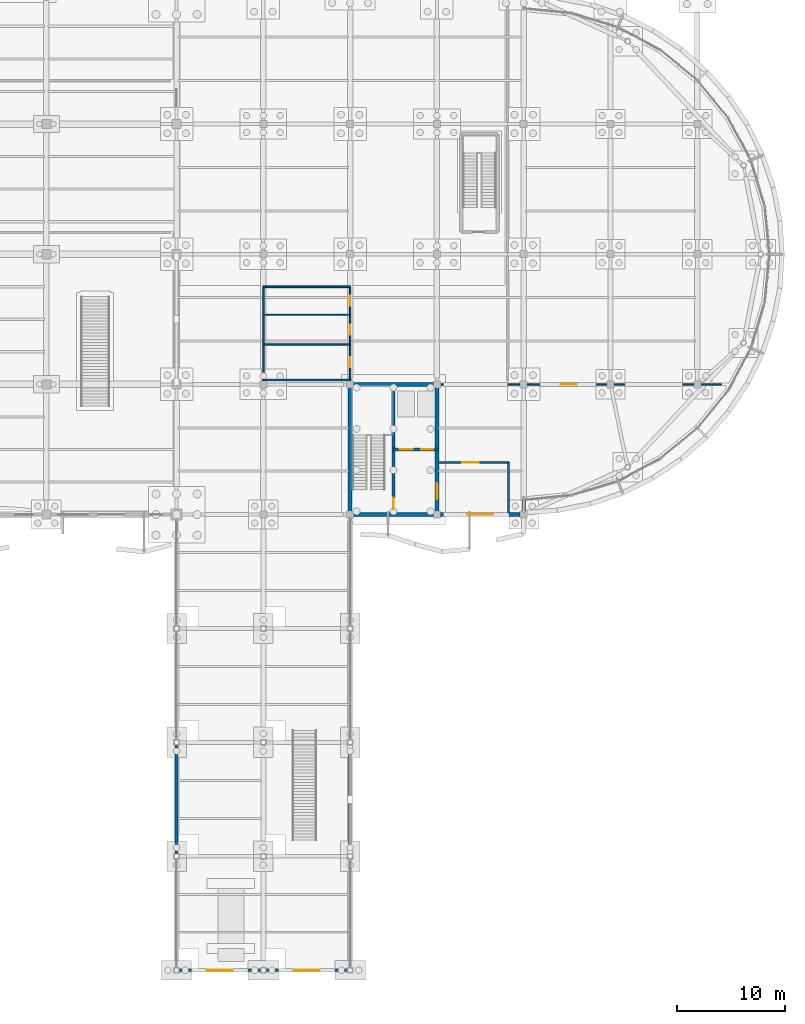
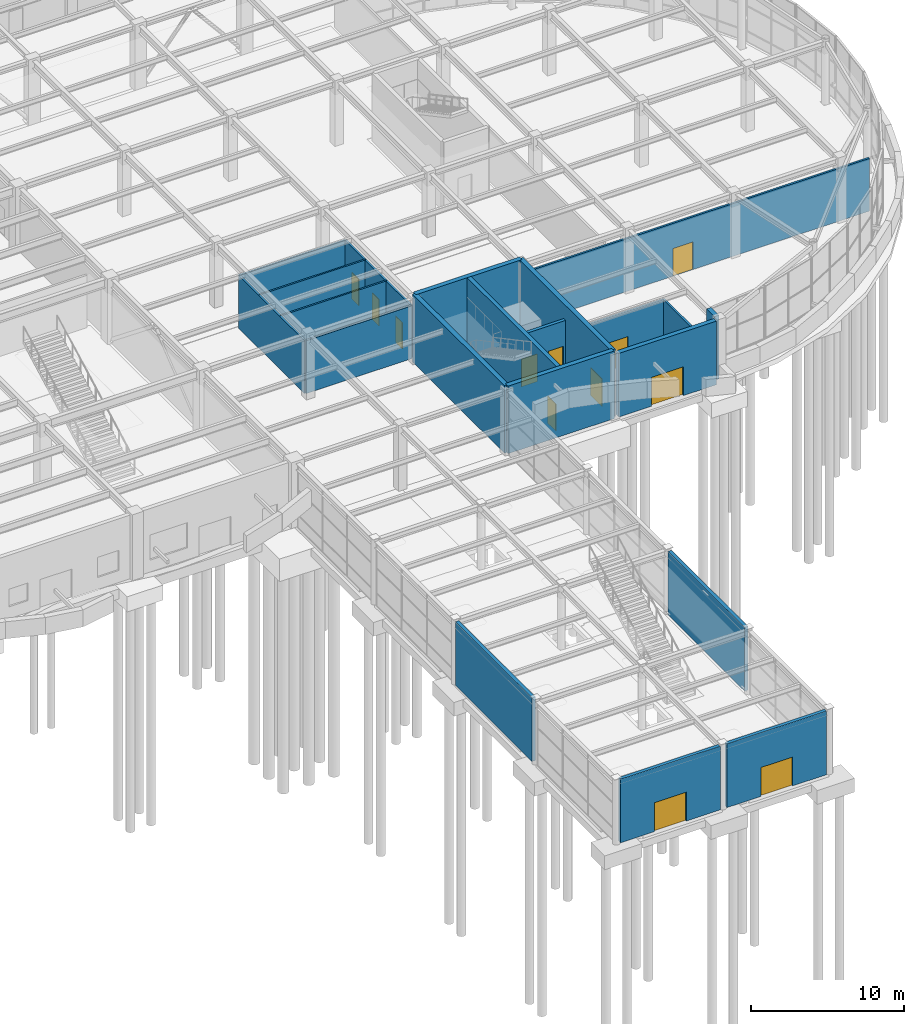
# One storey, part 68 of 85: 21 walls, 12 doors, 12 openings.
"""IFC4 building model written with IfcOpenShell, lengths in metres."""

from ifc_helpers import new_model, si_unit, direction, frame, frame_2d, origin, place, context, subcontext, project, spatial, rectangle, extrude, material, layer, layer_set, type_object, element, fill, save


model = new_model("IFC4")

# Units and contexts
model_context = context("Model", 3, precision=1e-05, world=origin(), true_north=direction((0.0, 1.0)))
body_context = subcontext(model_context, "Body", "Model", "MODEL_VIEW")
ifc_project = project(units=[si_unit("LENGTHUNIT", "METRE"), si_unit("AREAUNIT", "SQUARE_METRE"), si_unit("VOLUMEUNIT", "CUBIC_METRE"), si_unit("PLANEANGLEUNIT", "RADIAN"), si_unit("MASSUNIT", "GRAM", prefix="KILO")], contexts=[model_context])

# Site, building, storey
site_placement = place(None, origin())
site = spatial("IfcSite", under=ifc_project, at=site_placement, CompositionType="ELEMENT")
building_placement = place(site_placement, origin())
building = spatial("IfcBuilding", under=site, at=building_placement, Name="Keelwater Ferry Terminal", CompositionType="ELEMENT")
storey_placement = place(building_placement, origin())
storey = spatial("IfcBuildingStorey", under=building, at=storey_placement, Name="L00", CompositionType="ELEMENT", Elevation=0.0)

# Walls
ifc_material_1 = material(Name="Precast concrete C40/50", Category="concrete")
ifc_layer_1 = layer(ifc_material_1, 0.260009765625)
ifc_layer_set_1 = layer_set([ifc_layer_1], Name="Precast concrete C40/50")
wall_type_1 = type_object("IfcWallType", Name="EW-BR260 External Solid Wall 260", PredefinedType="SOLIDWALL", material=ifc_layer_set_1)
for number, where, z_axis, x_axis, name in (
    (1, (132.0, 10.75390625, 0.0), (0.0, 0.0, 1.0), (0.0, 1.0, 0.0), "External Wall WL-L00-0005"),
    (2, (148.0, 10.75390625, 0.0), (0.0, 0.0, 1.0), (0.0, 1.0, 0.0), "External Wall WL-L00-0007"),
):
    element("IfcWall", number, at=place(storey_placement, frame(where, z_axis=z_axis, x_axis=x_axis)), inside=storey, type_object=wall_type_1, Name=name, PredefinedType="SOLIDWALL", context=body_context, shape_type="SweptSolid", body=[
        extrude(rectangle(XDim=9.9921875, YDim=0.260009765625, at=frame_2d((4.99609375, 0.0))), origin(), (0.0, 0.0, 1.0), 5.06005859375),
    ])

# Wall, opening, door
wall_1_placement = place(storey_placement, frame((139.74609375, 0.0, 0.0), z_axis=(0.0, 0.0, 1.0), x_axis=(-1.0, 0.0, 0.0)))
wall_1 = element("IfcWall", 3, at=wall_1_placement, inside=storey, type_object=wall_type_1, Name="External Wall WL-L00-0013", PredefinedType="SOLIDWALL", context=body_context, shape_type="SweptSolid", body=[
    extrude(rectangle(XDim=7.4921875, YDim=0.260009765625, at=frame_2d((3.74609375, 0.0))), origin(), (0.0, 0.0, 1.0), 5.06005859375),
])
opening_1_placement = place(wall_1_placement, frame((2.5458984375, 0.0, 0.0)))
opening_1 = element("IfcOpeningElement", 4, at=opening_1_placement, cuts=wall_1, Name="Opening ED-03", PredefinedType="OPENING", context=body_context, shape_type="SweptSolid", body=[
    extrude(rectangle(XDim=2.39990234375, YDim=2.300048828125, at=frame_2d((1.199951171875, 1.14990234375))), frame((0.0, 0.139892578125, 0.0), z_axis=(0.0, -1.0, 0.0), x_axis=(1.0, 0.0, 0.0)), (0.0, 0.0, 1.0), 0.280029296875),
])
ifc_material_2 = material(Name="Anodised aluminium and laminated safety glass", Category="aluminium")
door_type_1 = type_object("IfcDoorType", Name="ED-T1 Pedestrian Door 2400x2300", OperationType="DOUBLE_DOOR_SINGLE_SWING", PredefinedType="DOOR", material=ifc_material_2)
door_1_placement = place(opening_1_placement, origin())
door_1 = element("IfcDoor", 5, at=door_1_placement, inside=storey, type_object=door_type_1, Name="Door ED-03", OperationType="DOUBLE_DOOR_SINGLE_SWING", OverallHeight=2.300048828125, OverallWidth=2.39990234375, PredefinedType="DOOR", context=body_context, shape_type="SweptSolid", body=[
    extrude(rectangle(XDim=2.39990234375, YDim=2.300048828125, at=frame_2d((1.199951171875, 1.14990234375))), frame((0.0, 0.02490234375, 0.0), z_axis=(0.0, -1.0, 0.0), x_axis=(1.0, 0.0, 0.0)), (0.0, 0.0, 1.0), 0.050048828125),
])
fill(opening_1, door_1)

wall_2_placement = place(storey_placement, frame((147.74609375, 0.0, 0.0), z_axis=(0.0, 0.0, 1.0), x_axis=(-1.0, 0.0, 0.0)))
wall_2 = element("IfcWall", 6, at=wall_2_placement, inside=storey, type_object=wall_type_1, Name="External Wall WL-L00-0015", PredefinedType="SOLIDWALL", context=body_context, shape_type="SweptSolid", body=[
    extrude(rectangle(XDim=7.4921875, YDim=0.260009765625, at=frame_2d((3.74609375, 0.0))), origin(), (0.0, 0.0, 1.0), 5.06005859375),
])
opening_2_placement = place(wall_2_placement, frame((2.5458984375, 0.0, 0.0)))
opening_2 = element("IfcOpeningElement", 7, at=opening_2_placement, cuts=wall_2, Name="Opening ED-04", PredefinedType="OPENING", context=body_context, shape_type="SweptSolid", body=[
    extrude(rectangle(XDim=2.39990234375, YDim=2.300048828125, at=frame_2d((1.199951171875, 1.14990234375))), frame((0.0, 0.139892578125, 0.0), z_axis=(0.0, -1.0, 0.0), x_axis=(1.0, 0.0, 0.0)), (0.0, 0.0, 1.0), 0.280029296875),
])
door_2_placement = place(opening_2_placement, origin())
door_2 = element("IfcDoor", 8, at=door_2_placement, inside=storey, type_object=door_type_1, Name="Door ED-04", OperationType="DOUBLE_DOOR_SINGLE_SWING", OverallHeight=2.300048828125, OverallWidth=2.39990234375, PredefinedType="DOOR", context=body_context, shape_type="SweptSolid", body=[
    extrude(rectangle(XDim=2.39990234375, YDim=2.300048828125, at=frame_2d((1.199951171875, 1.14990234375))), frame((0.0, 0.02490234375, 0.0), z_axis=(0.0, -1.0, 0.0), x_axis=(1.0, 0.0, 0.0)), (0.0, 0.0, 1.0), 0.050048828125),
])
fill(opening_2, door_2)

# Wall
ifc_material_3 = material(Name="Precast concrete C40/50", Category="concrete")
ifc_layer_2 = layer(ifc_material_3, 0.340087890625)
ifc_layer_set_2 = layer_set([ifc_layer_2], Name="Precast concrete C40/50")
wall_type_2 = type_object("IfcWallType", Name="EW-LM340 External Solid Wall 340", PredefinedType="SOLIDWALL", material=ifc_layer_set_2)
wall_3_placement = place(storey_placement, frame((164.0, 42.324951171875, 0.0), z_axis=(0.0, 0.0, 1.0), x_axis=(0.0, 1.0, 0.0)))
element("IfcWall", 9, at=wall_3_placement, inside=storey, type_object=wall_type_2, Name="External Wall WL-L00-0019", PredefinedType="SOLIDWALL", context=body_context, shape_type="SweptSolid", body=[
    extrude(rectangle(XDim=1.025146484375, YDim=0.340087890625, at=frame_2d((0.5126953125, 0.0))), origin(), (0.0, 0.0, 1.0), 5.06005859375),
])

# Wall, opening, door
wall_4_placement = place(storey_placement, frame((163.675048828125, 42.0, 0.0), z_axis=(0.0, 0.0, 1.0), x_axis=(-1.0, 0.0, 0.0)))
wall_4 = element("IfcWall", 10, at=wall_4_placement, inside=storey, type_object=wall_type_2, Name="External Wall WL-L00-0047", PredefinedType="SOLIDWALL", context=body_context, shape_type="SweptSolid", body=[
    extrude(rectangle(XDim=7.35009765625, YDim=0.340087890625, at=frame_2d((3.675048828125, 0.0))), origin(), (0.0, 0.0, 1.0), 5.06005859375),
])
opening_3_placement = place(wall_4_placement, frame((2.47509765625, 0.0, 0.0)))
opening_3 = element("IfcOpeningElement", 11, at=opening_3_placement, cuts=wall_4, Name="Opening ED-14", PredefinedType="OPENING", context=body_context, shape_type="SweptSolid", body=[
    extrude(rectangle(XDim=2.39990234375, YDim=2.300048828125, at=frame_2d((1.199951171875, 1.14990234375))), frame((0.0, 0.179931640625, 0.0), z_axis=(0.0, -1.0, 0.0), x_axis=(1.0, 0.0, 0.0)), (0.0, 0.0, 1.0), 0.360107421875),
])
door_3_placement = place(opening_3_placement, origin())
door_3 = element("IfcDoor", 12, at=door_3_placement, inside=storey, type_object=door_type_1, Name="Door ED-14", OperationType="DOUBLE_DOOR_SINGLE_SWING", OverallHeight=2.300048828125, OverallWidth=2.39990234375, PredefinedType="DOOR", context=body_context, shape_type="SweptSolid", body=[
    extrude(rectangle(XDim=2.39990234375, YDim=2.300048828125, at=frame_2d((1.199951171875, 1.14990234375))), frame((0.0, 0.02490234375, 0.0), z_axis=(0.0, -1.0, 0.0), x_axis=(1.0, 0.0, 0.0)), (0.0, 0.0, 1.0), 0.050048828125),
])
fill(opening_3, door_3)

# Wall, openings, doors
ifc_material_4 = material(Name="Concrete C40/50", Category="concrete")
ifc_layer_3 = layer(ifc_material_4, 0.25)
ifc_layer_set_3 = layer_set([ifc_layer_3], Name="Concrete C40/50")
wall_type_3 = type_object("IfcWallType", Name="IW-250 Solid Wall 250", PredefinedType="SOLIDWALL", material=ifc_layer_set_3)
wall_5_placement = place(storey_placement, frame((156.0, 48.0, 0.0), z_axis=(0.0, 0.0, 1.0), x_axis=(-1.0, 0.0, 0.0)))
wall_5 = element("IfcWall", 13, at=wall_5_placement, inside=storey, type_object=wall_type_3, Name="Interior Wall WL-INT-L00-0096", PredefinedType="SOLIDWALL", context=body_context, shape_type="SweptSolid", body=[
    extrude(rectangle(XDim=4.0, YDim=0.25, at=frame_2d((2.0, 0.0))), origin(), (0.0, 0.0, 1.0), 4.199951171875),
])
opening_4_placement = place(wall_5_placement, frame((0.35009765625, 0.0, 0.0)))
opening_4 = element("IfcOpeningElement", 14, at=opening_4_placement, cuts=wall_5, Name="Opening LD-031", PredefinedType="OPENING", context=body_context, shape_type="SweptSolid", body=[
    extrude(rectangle(XDim=1.10009765625, YDim=2.199951171875, at=frame_2d((0.550048828125, 1.10009765625))), frame((0.0, 0.135009765625, 0.0), z_axis=(0.0, -1.0, 0.0), x_axis=(1.0, 0.0, 0.0)), (0.0, 0.0, 1.0), 0.27001953125),
])
opening_5_placement = place(wall_5_placement, frame((2.25, 0.0, 0.0)))
opening_5 = element("IfcOpeningElement", 15, at=opening_5_placement, cuts=wall_5, Name="Opening LD-032", PredefinedType="OPENING", context=body_context, shape_type="SweptSolid", body=[
    extrude(rectangle(XDim=1.199951171875, YDim=2.199951171875, at=frame_2d((0.60009765625, 1.10009765625))), frame((0.0, 0.135009765625, 0.0), z_axis=(0.0, -1.0, 0.0), x_axis=(1.0, 0.0, 0.0)), (0.0, 0.0, 1.0), 0.27001953125),
])
ifc_material_5 = material(Name="Stainless steel sliding landing doors", Category="steel")
door_type_2 = type_object("IfcDoorType", Name="LD-T1 Lift Landing Door 1100x2200", OperationType="SLIDING_TO_LEFT", PredefinedType="USERDEFINED", material=ifc_material_5)
door_4_placement = place(opening_4_placement, origin())
door_4 = element("IfcDoor", 16, at=door_4_placement, inside=storey, type_object=door_type_2, Name="Door LD-031", ObjectType="LANDING DOOR", OperationType="SLIDING_TO_LEFT", OverallHeight=2.199951171875, OverallWidth=1.10009765625, PredefinedType="USERDEFINED", context=body_context, shape_type="SweptSolid", body=[
    extrude(rectangle(XDim=1.10009765625, YDim=2.199951171875, at=frame_2d((0.550048828125, 1.10009765625))), frame((0.0, 0.02490234375, 0.0), z_axis=(0.0, -1.0, 0.0), x_axis=(1.0, 0.0, 0.0)), (0.0, 0.0, 1.0), 0.050048828125),
])
fill(opening_4, door_4)
ifc_material_6 = material(Name="Stainless steel sliding landing doors", Category="steel")
door_type_3 = type_object("IfcDoorType", Name="LD-T2 Lift Landing Door 1200x2200", OperationType="DOUBLE_DOOR_SLIDING", PredefinedType="USERDEFINED", material=ifc_material_6)
door_5_placement = place(opening_5_placement, origin())
door_5 = element("IfcDoor", 17, at=door_5_placement, inside=storey, type_object=door_type_3, Name="Door LD-032", ObjectType="LANDING DOOR", OperationType="DOUBLE_DOOR_SLIDING", OverallHeight=2.199951171875, OverallWidth=1.199951171875, PredefinedType="USERDEFINED", context=body_context, shape_type="SweptSolid", body=[
    extrude(rectangle(XDim=1.199951171875, YDim=2.199951171875, at=frame_2d((0.60009765625, 1.10009765625))), frame((0.0, 0.02490234375, 0.0), z_axis=(0.0, -1.0, 0.0), x_axis=(1.0, 0.0, 0.0)), (0.0, 0.0, 1.0), 0.050048828125),
])
fill(opening_5, door_5)

# Walls
ifc_material_7 = material(Name="Gypsum board on acoustic steel stud", Category="steel")
ifc_layer_4 = layer(ifc_material_7, 0.125)
ifc_layer_set_4 = layer_set([ifc_layer_4], Name="Gypsum board on acoustic steel stud")
wall_type_4 = type_object("IfcWallType", Name="PT-125 Partition Wall 125", PredefinedType="PARTITIONING", material=ifc_layer_set_4)
for number, where, z_axis, x_axis, name in (
    (18, (140.0, 57.66796875, 0.0), (0.0, 0.0, 1.0), (1.0, 0.0, 0.0), "Interior Wall WL-INT-L00-0206"),
    (19, (140.0, 60.419921875, 0.0), (0.0, 0.0, 1.0), (1.0, 0.0, 0.0), "Interior Wall WL-INT-L00-0207"),
):
    element("IfcWall", number, at=place(storey_placement, frame(where, z_axis=z_axis, x_axis=x_axis)), inside=storey, type_object=wall_type_4, Name=name, PredefinedType="PARTITIONING", context=body_context, shape_type="SweptSolid", body=[
        extrude(rectangle(XDim=8.0, YDim=0.125, at=frame_2d((4.0, 0.0))), origin(), (0.0, 0.0, 1.0), 4.199951171875),
    ])
ifc_material_8 = material(Name="Gypsum board on acoustic steel stud", Category="steel")
ifc_layer_5 = layer(ifc_material_8, 0.14990234375)
ifc_layer_set_5 = layer_set([ifc_layer_5], Name="Gypsum board on acoustic steel stud")
wall_type_5 = type_object("IfcWallType", Name="PT-150 Partition Wall 150", PredefinedType="PARTITIONING", material=ifc_layer_set_5)
wall_6_placement = place(storey_placement, frame((140.0, 54.39990234375, 0.0), z_axis=(0.0, 0.0, 1.0), x_axis=(0.0, 1.0, 0.0)))
element("IfcWall", 20, at=wall_6_placement, inside=storey, type_object=wall_type_5, Name="Interior Wall WL-INT-L00-0202", PredefinedType="PARTITIONING", context=body_context, shape_type="SweptSolid", body=[
    extrude(rectangle(XDim=8.60009765625, YDim=0.14990234375, at=frame_2d((4.300048828125, 0.0))), origin(), (0.0, 0.0, 1.0), 4.199951171875),
])

# Wall, openings, doors
wall_7_placement = place(storey_placement, frame((148.0, 54.39990234375, 0.0), z_axis=(0.0, 0.0, 1.0), x_axis=(0.0, 1.0, 0.0)))
wall_7 = element("IfcWall", 21, at=wall_7_placement, inside=storey, type_object=wall_type_5, Name="Interior Wall WL-INT-L00-0203", PredefinedType="PARTITIONING", context=body_context, shape_type="SweptSolid", body=[
    extrude(rectangle(XDim=8.60009765625, YDim=0.14990234375, at=frame_2d((4.300048828125, 0.0))), origin(), (0.0, 0.0, 1.0), 4.199951171875),
])
opening_6_placement = place(wall_7_placement, frame((1.18408203125, 0.0, 0.0)))
opening_6 = element("IfcOpeningElement", 22, at=opening_6_placement, cuts=wall_7, Name="Opening WD-028", PredefinedType="OPENING", context=body_context, shape_type="SweptSolid", body=[
    extrude(rectangle(XDim=0.89990234375, YDim=2.10009765625, at=frame_2d((0.449951171875, 1.050048828125))), frame((0.0, 0.0849609375, 0.0), z_axis=(0.0, -1.0, 0.0), x_axis=(1.0, 0.0, 0.0)), (0.0, 0.0, 1.0), 0.169921875),
])
opening_7_placement = place(wall_7_placement, frame((4.194091796875, 0.0, 0.0)))
opening_7 = element("IfcOpeningElement", 23, at=opening_7_placement, cuts=wall_7, Name="Opening WD-029", PredefinedType="OPENING", context=body_context, shape_type="SweptSolid", body=[
    extrude(rectangle(XDim=0.89990234375, YDim=2.10009765625, at=frame_2d((0.449951171875, 1.050048828125))), frame((0.0, 0.0849609375, 0.0), z_axis=(0.0, -1.0, 0.0), x_axis=(1.0, 0.0, 0.0)), (0.0, 0.0, 1.0), 0.169921875),
])
opening_8_placement = place(wall_7_placement, frame((6.85009765625, 0.0, 0.0)))
opening_8 = element("IfcOpeningElement", 24, at=opening_8_placement, cuts=wall_7, Name="Opening WD-030", PredefinedType="OPENING", context=body_context, shape_type="SweptSolid", body=[
    extrude(rectangle(XDim=0.919921875, YDim=2.10009765625, at=frame_2d((0.4599609375, 1.050048828125))), frame((0.0, 0.0849609375, 0.0), z_axis=(0.0, -1.0, 0.0), x_axis=(1.0, 0.0, 0.0)), (0.0, 0.0, 1.0), 0.169921875),
])
ifc_material_9 = material(Name="Acoustic oak and fire-rated steel frame door", Category="steel")
door_type_4 = type_object("IfcDoorType", Name="ID-09 Pedestrian Door 920x2100", OperationType="NOTDEFINED", PredefinedType="DOOR", material=ifc_material_9)
door_6_placement = place(opening_8_placement, origin())
door_6 = element("IfcDoor", 25, at=door_6_placement, inside=storey, type_object=door_type_4, Name="Door WD-030", OperationType="SINGLE_SWING_RIGHT", OverallHeight=2.10009765625, OverallWidth=0.919921875, PredefinedType="DOOR", context=body_context, shape_type="SweptSolid", body=[
    extrude(rectangle(XDim=0.919921875, YDim=2.10009765625, at=frame_2d((0.4599609375, 1.050048828125))), frame((0.0, 0.02490234375, 0.0), z_axis=(0.0, -1.0, 0.0), x_axis=(1.0, 0.0, 0.0)), (0.0, 0.0, 1.0), 0.050048828125),
])
fill(opening_8, door_6)
ifc_material_10 = material(Name="Acoustic oak and fire-rated steel frame door", Category="steel")
door_type_5 = type_object("IfcDoorType", Name="ID-10 Pedestrian Door 900x2100", OperationType="NOTDEFINED", PredefinedType="DOOR", material=ifc_material_10)
door_7_placement = place(opening_6_placement, origin())
door_7 = element("IfcDoor", 26, at=door_7_placement, inside=storey, type_object=door_type_5, Name="Door WD-028", OperationType="SINGLE_SWING_RIGHT", OverallHeight=2.10009765625, OverallWidth=0.89990234375, PredefinedType="DOOR", context=body_context, shape_type="SweptSolid", body=[
    extrude(rectangle(XDim=0.89990234375, YDim=2.10009765625, at=frame_2d((0.449951171875, 1.050048828125))), frame((0.0, 0.02490234375, 0.0), z_axis=(0.0, -1.0, 0.0), x_axis=(1.0, 0.0, 0.0)), (0.0, 0.0, 1.0), 0.050048828125),
])
fill(opening_6, door_7)
door_8_placement = place(opening_7_placement, origin())
door_8 = element("IfcDoor", 27, at=door_8_placement, inside=storey, type_object=door_type_5, Name="Door WD-029", OperationType="SINGLE_SWING_LEFT", OverallHeight=2.10009765625, OverallWidth=0.89990234375, PredefinedType="DOOR", context=body_context, shape_type="SweptSolid", body=[
    extrude(rectangle(XDim=0.89990234375, YDim=2.10009765625, at=frame_2d((0.449951171875, 1.050048828125))), frame((0.0, 0.02490234375, 0.0), z_axis=(0.0, -1.0, 0.0), x_axis=(1.0, 0.0, 0.0)), (0.0, 0.0, 1.0), 0.050048828125),
])
fill(opening_7, door_8)

# Walls
for number, where, z_axis, x_axis, name in (
    (28, (140.0, 63.0, 0.0), (0.0, 0.0, 1.0), (1.0, 0.0, 0.0), "Interior Wall WL-INT-L00-0204"),
    (29, (140.0, 54.39990234375, 0.0), (0.0, 0.0, 1.0), (1.0, 0.0, 0.0), "Interior Wall WL-INT-L00-0205"),
):
    element("IfcWall", number, at=place(storey_placement, frame(where, z_axis=z_axis, x_axis=x_axis)), inside=storey, type_object=wall_type_5, Name=name, PredefinedType="PARTITIONING", context=body_context, shape_type="SweptSolid", body=[
        extrude(rectangle(XDim=8.0, YDim=0.14990234375, at=frame_2d((4.0, 0.0))), origin(), (0.0, 0.0, 1.0), 4.199951171875),
    ])

# Wall, opening, door
wall_8_placement = place(storey_placement, frame((156.39990234375, 54.0, 0.0), z_axis=(0.0, 0.0, 1.0), x_axis=(1.0, 0.0, 0.0)))
wall_8 = element("IfcWall", 30, at=wall_8_placement, inside=storey, type_object=wall_type_5, Name="Interior Wall WL-INT-L00-0234", PredefinedType="PARTITIONING", context=body_context, shape_type="SweptSolid", body=[
    extrude(rectangle(XDim=25.800048828125, YDim=0.14990234375, at=frame_2d((12.89990234375, 0.0))), origin(), (0.0, 0.0, 1.0), 4.199951171875),
])
opening_9_placement = place(wall_8_placement, frame((11.0, 0.0, 0.0)))
opening_9 = element("IfcOpeningElement", 31, at=opening_9_placement, cuts=wall_8, Name="Opening DR-013", PredefinedType="OPENING", context=body_context, shape_type="SweptSolid", body=[
    extrude(rectangle(XDim=1.5, YDim=2.199951171875, at=frame_2d((0.75, 1.10009765625))), frame((0.0, 0.0849609375, 0.0), z_axis=(0.0, -1.0, 0.0), x_axis=(1.0, 0.0, 0.0)), (0.0, 0.0, 1.0), 0.169921875),
])
ifc_material_11 = material(Name="Acoustic oak and fire-rated steel frame door", Category="steel")
door_type_6 = type_object("IfcDoorType", Name="ID-02 Pedestrian Door 1500x2200", OperationType="DOUBLE_DOOR_SINGLE_SWING", PredefinedType="DOOR", material=ifc_material_11)
door_9_placement = place(opening_9_placement, origin())
door_9 = element("IfcDoor", 32, at=door_9_placement, inside=storey, type_object=door_type_6, Name="Door DR-013", OperationType="DOUBLE_DOOR_SINGLE_SWING", OverallHeight=2.199951171875, OverallWidth=1.5, PredefinedType="DOOR", context=body_context, shape_type="SweptSolid", body=[
    extrude(rectangle(XDim=1.5, YDim=2.199951171875, at=frame_2d((0.75, 1.10009765625))), frame((0.0, 0.02490234375, 0.0), z_axis=(0.0, -1.0, 0.0), x_axis=(1.0, 0.0, 0.0)), (0.0, 0.0, 1.0), 0.050048828125),
])
fill(opening_9, door_9)

wall_9_placement = place(storey_placement, frame((156.14990234375, 46.800048828125, 0.0), z_axis=(0.0, 0.0, 1.0), x_axis=(1.0, 0.0, 0.0)))
wall_9 = element("IfcWall", 33, at=wall_9_placement, inside=storey, type_object=wall_type_5, Name="Interior Wall WL-INT-L00-0241", PredefinedType="PARTITIONING", context=body_context, shape_type="SweptSolid", body=[
    extrude(rectangle(XDim=6.4501953125, YDim=0.14990234375, at=frame_2d((3.22509765625, 0.0))), origin(), (0.0, 0.0, 1.0), 4.199951171875),
])
opening_10_placement = place(wall_9_placement, frame((2.199951171875, 0.0, 0.0)))
opening_10 = element("IfcOpeningElement", 34, at=opening_10_placement, cuts=wall_9, Name="Opening DR-019", PredefinedType="OPENING", context=body_context, shape_type="SweptSolid", body=[
    extrude(rectangle(XDim=1.5, YDim=2.199951171875, at=frame_2d((0.75, 1.10009765625))), frame((0.0, 0.0849609375, 0.0), z_axis=(0.0, -1.0, 0.0), x_axis=(1.0, 0.0, 0.0)), (0.0, 0.0, 1.0), 0.169921875),
])
door_10_placement = place(opening_10_placement, origin())
door_10 = element("IfcDoor", 35, at=door_10_placement, inside=storey, type_object=door_type_6, Name="Door DR-019", OperationType="DOUBLE_DOOR_SINGLE_SWING", OverallHeight=2.199951171875, OverallWidth=1.5, PredefinedType="DOOR", context=body_context, shape_type="SweptSolid", body=[
    extrude(rectangle(XDim=1.5, YDim=2.199951171875, at=frame_2d((0.75, 1.10009765625))), frame((0.0, 0.02490234375, 0.0), z_axis=(0.0, -1.0, 0.0), x_axis=(1.0, 0.0, 0.0)), (0.0, 0.0, 1.0), 0.050048828125),
])
fill(opening_10, door_10)

# Wall
wall_10_placement = place(storey_placement, frame((162.60009765625, 42.14990234375, 0.0), z_axis=(0.0, 0.0, 1.0), x_axis=(0.0, 1.0, 0.0)))
element("IfcWall", 36, at=wall_10_placement, inside=storey, type_object=wall_type_5, Name="Interior Wall WL-INT-L00-0242", PredefinedType="PARTITIONING", context=body_context, shape_type="SweptSolid", body=[
    extrude(rectangle(XDim=4.650146484375, YDim=0.14990234375, at=frame_2d((2.3251953125, 0.0))), origin(), (0.0, 0.0, 1.0), 4.199951171875),
])

# Wall, opening, door
ifc_material_12 = material(Name="Concrete C45/55", Category="concrete")
ifc_layer_6 = layer(ifc_material_12, 0.300048828125)
ifc_layer_set_6 = layer_set([ifc_layer_6], Name="Concrete C45/55")
wall_type_6 = type_object("IfcWallType", Name="SW-300 Shear Wall 300", PredefinedType="SHEAR", material=ifc_layer_set_6)
wall_11_placement = place(storey_placement, frame((152.0, 54.0, 0.0), z_axis=(0.0, 0.0, 1.0), x_axis=(0.0, -1.0, 0.0)))
wall_11 = element("IfcWall", 37, at=wall_11_placement, inside=storey, type_object=wall_type_6, Name="Interior Wall WL-INT-L00-0095", PredefinedType="SHEAR", context=body_context, shape_type="SweptSolid", body=[
    extrude(rectangle(XDim=12.0, YDim=0.300048828125, at=frame_2d((6.0, 0.0))), origin(), (0.0, 0.0, 1.0), 5.3798828125),
])
opening_11_placement = place(wall_11_placement, frame((10.449951171875, 0.0, 0.0)))
opening_11 = element("IfcOpeningElement", 38, at=opening_11_placement, cuts=wall_11, Name="Opening FD-031", PredefinedType="OPENING", context=body_context, shape_type="SweptSolid", body=[
    extrude(rectangle(XDim=1.050048828125, YDim=2.14990234375, at=frame_2d((0.52490234375, 1.074951171875))), frame((0.0, 0.159912109375, 0.0), z_axis=(0.0, -1.0, 0.0), x_axis=(1.0, 0.0, 0.0)), (0.0, 0.0, 1.0), 0.320068359375),
])
ifc_material_13 = material(Name="Acoustic oak and fire-rated steel frame door", Category="steel")
door_type_7 = type_object("IfcDoorType", Name="ID-06 Pedestrian Door 1050x2150", OperationType="NOTDEFINED", PredefinedType="DOOR", material=ifc_material_13)
door_11_placement = place(opening_11_placement, origin())
door_11 = element("IfcDoor", 39, at=door_11_placement, inside=storey, type_object=door_type_7, Name="Door FD-031", OperationType="SINGLE_SWING_LEFT", OverallHeight=2.14990234375, OverallWidth=1.050048828125, PredefinedType="DOOR", context=body_context, shape_type="SweptSolid", body=[
    extrude(rectangle(XDim=1.050048828125, YDim=2.14990234375, at=frame_2d((0.52490234375, 1.074951171875))), frame((0.0, 0.02490234375, 0.0), z_axis=(0.0, -1.0, 0.0), x_axis=(1.0, 0.0, 0.0)), (0.0, 0.0, 1.0), 0.050048828125),
])
fill(opening_11, door_11)

# Walls
ifc_material_14 = material(Name="Concrete C45/55", Category="concrete")
ifc_layer_7 = layer(ifc_material_14, 0.35009765625)
ifc_layer_set_7 = layer_set([ifc_layer_7], Name="Concrete C45/55")
wall_type_7 = type_object("IfcWallType", Name="SW-350 Shear Wall 350", PredefinedType="SHEAR", material=ifc_layer_set_7)
for number, where, z_axis, x_axis, name in (
    (40, (148.0, 42.0, 0.0), (0.0, 0.0, 1.0), (1.0, 0.0, 0.0), "Interior Wall WL-INT-L00-0091"),
    (41, (148.0, 54.0, 0.0), (0.0, 0.0, 1.0), (1.0, 0.0, 0.0), "Interior Wall WL-INT-L00-0092"),
):
    element("IfcWall", number, at=place(storey_placement, frame(where, z_axis=z_axis, x_axis=x_axis)), inside=storey, type_object=wall_type_7, Name=name, PredefinedType="SHEAR", context=body_context, shape_type="SweptSolid", body=[
        extrude(rectangle(XDim=8.0, YDim=0.35009765625, at=frame_2d((4.0, 0.0))), origin(), (0.0, 0.0, 1.0), 5.3798828125),
    ])
wall_12_placement = place(storey_placement, frame((148.0, 42.0, 0.0), z_axis=(0.0, 0.0, 1.0), x_axis=(0.0, 1.0, 0.0)))
element("IfcWall", 42, at=wall_12_placement, inside=storey, type_object=wall_type_7, Name="Interior Wall WL-INT-L00-0093", PredefinedType="SHEAR", context=body_context, shape_type="SweptSolid", body=[
    extrude(rectangle(XDim=12.0, YDim=0.35009765625, at=frame_2d((6.0, 0.0))), origin(), (0.0, 0.0, 1.0), 5.3798828125),
])

# Wall, opening, door
wall_13_placement = place(storey_placement, frame((156.0, 42.0, 0.0), z_axis=(0.0, 0.0, 1.0), x_axis=(0.0, 1.0, 0.0)))
wall_13 = element("IfcWall", 43, at=wall_13_placement, inside=storey, type_object=wall_type_7, Name="Interior Wall WL-INT-L00-0094", PredefinedType="SHEAR", context=body_context, shape_type="SweptSolid", body=[
    extrude(rectangle(XDim=12.0, YDim=0.35009765625, at=frame_2d((6.0, 0.0))), origin(), (0.0, 0.0, 1.0), 5.3798828125),
])
opening_12_placement = place(wall_13_placement, frame((1.39990234375, 0.0, 0.0)))
opening_12 = element("IfcOpeningElement", 44, at=opening_12_placement, cuts=wall_13, Name="Opening FD-032", PredefinedType="OPENING", context=body_context, shape_type="SweptSolid", body=[
    extrude(rectangle(XDim=1.5, YDim=2.199951171875, at=frame_2d((0.75, 1.10009765625))), frame((0.0, 0.18505859375, 0.0), z_axis=(0.0, -1.0, 0.0), x_axis=(1.0, 0.0, 0.0)), (0.0, 0.0, 1.0), 0.3701171875),
])
door_12_placement = place(opening_12_placement, origin())
door_12 = element("IfcDoor", 45, at=door_12_placement, inside=storey, type_object=door_type_6, Name="Door FD-032", OperationType="DOUBLE_DOOR_SINGLE_SWING", OverallHeight=2.199951171875, OverallWidth=1.5, PredefinedType="DOOR", context=body_context, shape_type="SweptSolid", body=[
    extrude(rectangle(XDim=1.5, YDim=2.199951171875, at=frame_2d((0.75, 1.10009765625))), frame((0.0, 0.02490234375, 0.0), z_axis=(0.0, -1.0, 0.0), x_axis=(1.0, 0.0, 0.0)), (0.0, 0.0, 1.0), 0.050048828125),
])
fill(opening_12, door_12)

save(model, "model.ifc")
